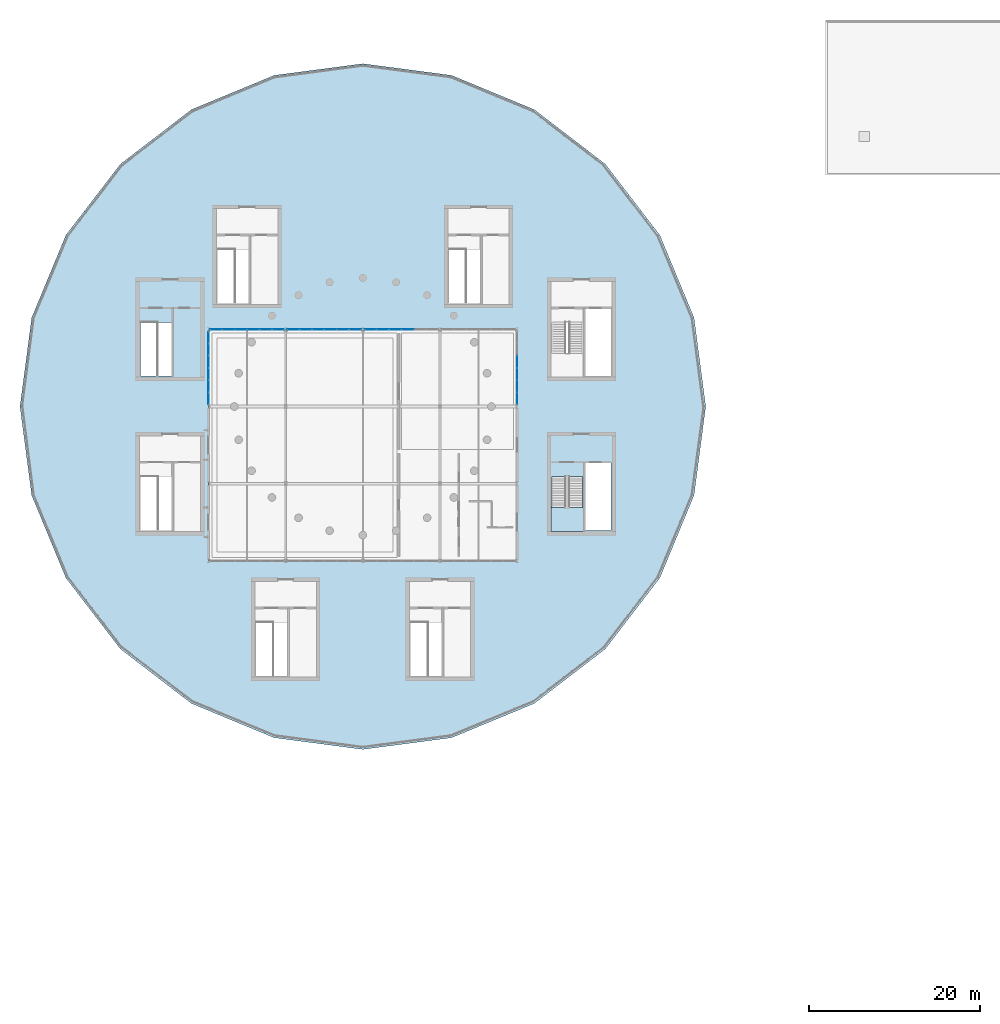
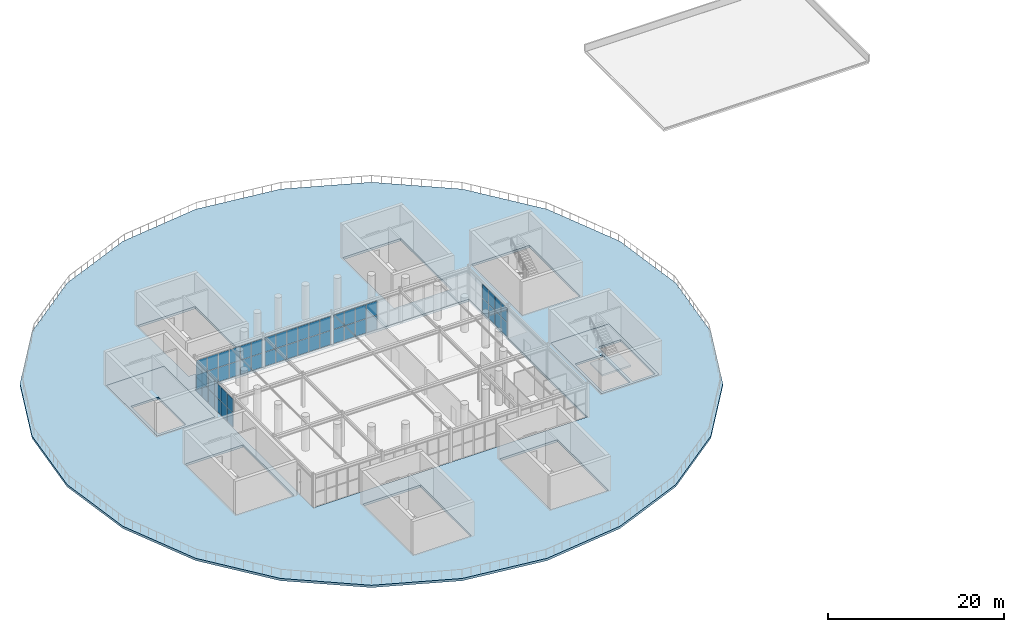
# One storey, part 18 of 29: 52 plates, 4 slabs, 6 elements without a shape of their own.
"""IFC4 building model written with IfcOpenShell, lengths in metres."""

from ifc_helpers import new_model, si_unit, direction, frame, origin, origin_2d, place, context, subcontext, project, spatial, polyline, rectangle, outline, extrude, material, layer, layer_set, type_object, element, aggregate, save


model = new_model("IFC4")

# Units and contexts
model_context = context("Model", 3, precision=1e-05, world=origin(), true_north=direction((0.0, 1.0)))
body_context = subcontext(model_context, "Body", "Model", "MODEL_VIEW")
ifc_project = project(units=[si_unit("LENGTHUNIT", "METRE"), si_unit("AREAUNIT", "SQUARE_METRE"), si_unit("VOLUMEUNIT", "CUBIC_METRE"), si_unit("PLANEANGLEUNIT", "RADIAN"), si_unit("MASSUNIT", "GRAM", prefix="KILO")], contexts=[model_context])

# Site, building, storey
site_placement = place(None, origin())
site = spatial("IfcSite", under=ifc_project, at=site_placement, CompositionType="ELEMENT")
building_placement = place(site_placement, origin())
building = spatial("IfcBuilding", under=site, at=building_placement, Name="Dornveld Trade and Exhibition Forum", CompositionType="ELEMENT")
storey_placement = place(building_placement, frame((0.0, 0.0, 21.60009765625)))
storey = spatial("IfcBuildingStorey", under=building, at=storey_placement, Name="L04", CompositionType="ELEMENT", Elevation=21.60009765625)

# Curtain wall, plates
ifc_material_1 = material(Name="Dark-bronze anodised aluminium and low-E glass", Category="aluminium")
ifc_layer_1 = layer(ifc_material_1, 0.156982421875)
ifc_layer_set_1 = layer_set([ifc_layer_1], Name="Dark-bronze anodised aluminium and low-E glass")
curtain_wall_type_1 = type_object("IfcCurtainWallType", Name="CW-SYS-05", PredefinedType="USERDEFINED", material=ifc_layer_set_1)
curtain_wall_1_placement = place(storey_placement, origin())
curtain_wall_1 = element("IfcCurtainWall", 1, at=curtain_wall_1_placement, inside=storey, type_object=curtain_wall_type_1, Name="L04 unitised curtain wall 131", ObjectType="UNITISED_CURTAIN_WALL", PredefinedType="USERDEFINED")
ifc_material_2 = material(Name="Double-glazed low-E solar control glass", Category="glass")
ifc_layer_2 = layer(ifc_material_2, 0.030029296875)
ifc_layer_set_2 = layer_set([ifc_layer_2], Name="Double-glazed low-E solar control glass")
plate_type_1 = type_object("IfcPlateType", Name="CW-PNL-03", PredefinedType="CURTAIN_PANEL", material=ifc_layer_set_2)
plate_1_placement = place(storey_placement, frame((135.0, 81.92822265625, 0.055908203125), z_axis=(0.0, 0.0, 1.0), x_axis=(0.0, 1.0, 0.0)))
plate_1 = element("IfcPlate", 2, at=plate_1_placement, type_object=plate_type_1, Name="CW-05 panel 1.1", PredefinedType="CURTAIN_PANEL", context=body_context, shape_type="SweptSolid", body=[
    extrude(rectangle(XDim=1.3447265625, YDim=0.030029296875, at=origin_2d()), origin(), (0.0, 0.0, 1.0), 1.94189453125),
])
plate_2_placement = place(storey_placement, frame((135.0, 81.92822265625, 2.057861328125), z_axis=(0.0, 0.0, 1.0), x_axis=(0.0, 1.0, 0.0)))
plate_2 = element("IfcPlate", 3, at=plate_2_placement, type_object=plate_type_1, Name="CW-05 panel 1.2", PredefinedType="CURTAIN_PANEL", context=body_context, shape_type="SweptSolid", body=[
    extrude(rectangle(XDim=1.3447265625, YDim=0.030029296875, at=origin_2d()), origin(), (0.0, 0.0, 1.0), 1.94189453125),
])
plate_3_placement = place(storey_placement, frame((135.0, 83.347900390625, 0.055908203125), z_axis=(0.0, 0.0, 1.0), x_axis=(0.0, 1.0, 0.0)))
plate_3 = element("IfcPlate", 4, at=plate_3_placement, type_object=plate_type_1, Name="CW-05 panel 2.1", PredefinedType="CURTAIN_PANEL", context=body_context, shape_type="SweptSolid", body=[
    extrude(rectangle(XDim=1.374755859375, YDim=0.030029296875, at=origin_2d()), origin(), (0.0, 0.0, 1.0), 1.94189453125),
])
plate_4_placement = place(storey_placement, frame((135.0, 83.347900390625, 2.057861328125), z_axis=(0.0, 0.0, 1.0), x_axis=(0.0, 1.0, 0.0)))
plate_4 = element("IfcPlate", 5, at=plate_4_placement, type_object=plate_type_1, Name="CW-05 panel 2.2", PredefinedType="CURTAIN_PANEL", context=body_context, shape_type="SweptSolid", body=[
    extrude(rectangle(XDim=1.374755859375, YDim=0.030029296875, at=origin_2d()), origin(), (0.0, 0.0, 1.0), 1.94189453125),
])
plate_5_placement = place(storey_placement, frame((135.0, 84.78271484375, 0.055908203125), z_axis=(0.0, 0.0, 1.0), x_axis=(0.0, 1.0, 0.0)))
plate_5 = element("IfcPlate", 6, at=plate_5_placement, type_object=plate_type_1, Name="CW-05 panel 3.1", PredefinedType="CURTAIN_PANEL", context=body_context, shape_type="SweptSolid", body=[
    extrude(rectangle(XDim=1.374755859375, YDim=0.030029296875, at=origin_2d()), origin(), (0.0, 0.0, 1.0), 1.94189453125),
])
plate_6_placement = place(storey_placement, frame((135.0, 84.78271484375, 2.057861328125), z_axis=(0.0, 0.0, 1.0), x_axis=(0.0, 1.0, 0.0)))
plate_6 = element("IfcPlate", 7, at=plate_6_placement, type_object=plate_type_1, Name="CW-05 panel 3.2", PredefinedType="CURTAIN_PANEL", context=body_context, shape_type="SweptSolid", body=[
    extrude(rectangle(XDim=1.374755859375, YDim=0.030029296875, at=origin_2d()), origin(), (0.0, 0.0, 1.0), 1.94189453125),
])
plate_7_placement = place(storey_placement, frame((135.0, 86.21728515625, 0.055908203125), z_axis=(0.0, 0.0, 1.0), x_axis=(0.0, 1.0, 0.0)))
plate_7 = element("IfcPlate", 8, at=plate_7_placement, type_object=plate_type_1, Name="CW-05 panel 4.1", PredefinedType="CURTAIN_PANEL", context=body_context, shape_type="SweptSolid", body=[
    extrude(rectangle(XDim=1.374755859375, YDim=0.030029296875, at=origin_2d()), origin(), (0.0, 0.0, 1.0), 1.94189453125),
])
plate_8_placement = place(storey_placement, frame((135.0, 86.21728515625, 2.057861328125), z_axis=(0.0, 0.0, 1.0), x_axis=(0.0, 1.0, 0.0)))
plate_8 = element("IfcPlate", 9, at=plate_8_placement, type_object=plate_type_1, Name="CW-05 panel 4.2", PredefinedType="CURTAIN_PANEL", context=body_context, shape_type="SweptSolid", body=[
    extrude(rectangle(XDim=1.374755859375, YDim=0.030029296875, at=origin_2d()), origin(), (0.0, 0.0, 1.0), 1.94189453125),
])
aggregate(curtain_wall_1, [plate_1, plate_2, plate_3, plate_4, plate_5, plate_6, plate_7, plate_8])

ifc_material_3 = material(Name="Dark-bronze anodised aluminium and low-E glass", Category="aluminium")
ifc_layer_3 = layer(ifc_material_3, 0.18994140625)
ifc_layer_set_3 = layer_set([ifc_layer_3], Name="Dark-bronze anodised aluminium and low-E glass")
curtain_wall_type_2 = type_object("IfcCurtainWallType", Name="CW-SYS-16", PredefinedType="USERDEFINED", material=ifc_layer_set_3)
curtain_wall_2_placement = place(storey_placement, origin())
curtain_wall_2 = element("IfcCurtainWall", 10, at=curtain_wall_2_placement, inside=storey, type_object=curtain_wall_type_2, Name="L04 unitised curtain wall 124", ObjectType="UNITISED_CURTAIN_WALL", PredefinedType="USERDEFINED")
ifc_material_4 = material(Name="Double-glazed low-E solar control glass", Category="glass")
ifc_layer_4 = layer(ifc_material_4, 0.031982421875)
ifc_layer_set_4 = layer_set([ifc_layer_4], Name="Double-glazed low-E solar control glass")
plate_type_2 = type_object("IfcPlateType", Name="CW-PNL-04", PredefinedType="CURTAIN_PANEL", material=ifc_layer_set_4)
plate_9_placement = place(storey_placement, frame((107.11328125, 90.0, 0.055908203125), z_axis=(0.0, 0.0, 1.0), x_axis=(-1.0, 0.0, 0.0)))
plate_9 = element("IfcPlate", 11, at=plate_9_placement, type_object=plate_type_2, Name="CW-16 panel 1.1", PredefinedType="CURTAIN_PANEL", context=body_context, shape_type="SweptSolid", body=[
    extrude(rectangle(XDim=1.361328125, YDim=0.031982421875, at=origin_2d()), origin(), (0.0, 0.0, 1.0), 1.94189453125),
])
plate_10_placement = place(storey_placement, frame((107.11328125, 90.0, 2.057861328125), z_axis=(0.0, 0.0, 1.0), x_axis=(-1.0, 0.0, 0.0)))
plate_10 = element("IfcPlate", 12, at=plate_10_placement, type_object=plate_type_2, Name="CW-16 panel 1.2", PredefinedType="CURTAIN_PANEL", context=body_context, shape_type="SweptSolid", body=[
    extrude(rectangle(XDim=1.361328125, YDim=0.031982421875, at=origin_2d()), origin(), (0.0, 0.0, 1.0), 1.94189453125),
])
plate_11_placement = place(storey_placement, frame((105.677001953125, 90.0, 0.055908203125), z_axis=(0.0, 0.0, 1.0), x_axis=(-1.0, 0.0, 0.0)))
plate_11 = element("IfcPlate", 13, at=plate_11_placement, type_object=plate_type_2, Name="CW-16 panel 2.1", PredefinedType="CURTAIN_PANEL", context=body_context, shape_type="SweptSolid", body=[
    extrude(rectangle(XDim=1.391357421875, YDim=0.031982421875, at=origin_2d()), origin(), (0.0, 0.0, 1.0), 1.94189453125),
])
plate_12_placement = place(storey_placement, frame((105.677001953125, 90.0, 2.057861328125), z_axis=(0.0, 0.0, 1.0), x_axis=(-1.0, 0.0, 0.0)))
plate_12 = element("IfcPlate", 14, at=plate_12_placement, type_object=plate_type_2, Name="CW-16 panel 2.2", PredefinedType="CURTAIN_PANEL", context=body_context, shape_type="SweptSolid", body=[
    extrude(rectangle(XDim=1.391357421875, YDim=0.031982421875, at=origin_2d()), origin(), (0.0, 0.0, 1.0), 1.94189453125),
])
plate_13_placement = place(storey_placement, frame((104.2255859375, 90.0, 0.055908203125), z_axis=(0.0, 0.0, 1.0), x_axis=(-1.0, 0.0, 0.0)))
plate_13 = element("IfcPlate", 15, at=plate_13_placement, type_object=plate_type_2, Name="CW-16 panel 3.1", PredefinedType="CURTAIN_PANEL", context=body_context, shape_type="SweptSolid", body=[
    extrude(rectangle(XDim=1.391357421875, YDim=0.031982421875, at=origin_2d()), origin(), (0.0, 0.0, 1.0), 1.94189453125),
])
plate_14_placement = place(storey_placement, frame((104.2255859375, 90.0, 2.057861328125), z_axis=(0.0, 0.0, 1.0), x_axis=(-1.0, 0.0, 0.0)))
plate_14 = element("IfcPlate", 16, at=plate_14_placement, type_object=plate_type_2, Name="CW-16 panel 3.2", PredefinedType="CURTAIN_PANEL", context=body_context, shape_type="SweptSolid", body=[
    extrude(rectangle(XDim=1.391357421875, YDim=0.031982421875, at=origin_2d()), origin(), (0.0, 0.0, 1.0), 1.94189453125),
])
plate_15_placement = place(storey_placement, frame((102.7744140625, 90.0, 0.055908203125), z_axis=(0.0, 0.0, 1.0), x_axis=(-1.0, 0.0, 0.0)))
plate_15 = element("IfcPlate", 17, at=plate_15_placement, type_object=plate_type_2, Name="CW-16 panel 4.1", PredefinedType="CURTAIN_PANEL", context=body_context, shape_type="SweptSolid", body=[
    extrude(rectangle(XDim=1.391357421875, YDim=0.031982421875, at=origin_2d()), origin(), (0.0, 0.0, 1.0), 1.94189453125),
])
plate_16_placement = place(storey_placement, frame((102.7744140625, 90.0, 2.057861328125), z_axis=(0.0, 0.0, 1.0), x_axis=(-1.0, 0.0, 0.0)))
plate_16 = element("IfcPlate", 18, at=plate_16_placement, type_object=plate_type_2, Name="CW-16 panel 4.2", PredefinedType="CURTAIN_PANEL", context=body_context, shape_type="SweptSolid", body=[
    extrude(rectangle(XDim=1.391357421875, YDim=0.031982421875, at=origin_2d()), origin(), (0.0, 0.0, 1.0), 1.94189453125),
])
plate_17_placement = place(storey_placement, frame((101.322998046875, 90.0, 0.055908203125), z_axis=(0.0, 0.0, 1.0), x_axis=(-1.0, 0.0, 0.0)))
plate_17 = element("IfcPlate", 19, at=plate_17_placement, type_object=plate_type_2, Name="CW-16 panel 5.1", PredefinedType="CURTAIN_PANEL", context=body_context, shape_type="SweptSolid", body=[
    extrude(rectangle(XDim=1.391357421875, YDim=0.031982421875, at=origin_2d()), origin(), (0.0, 0.0, 1.0), 1.94189453125),
])
plate_18_placement = place(storey_placement, frame((101.322998046875, 90.0, 2.057861328125), z_axis=(0.0, 0.0, 1.0), x_axis=(-1.0, 0.0, 0.0)))
plate_18 = element("IfcPlate", 20, at=plate_18_placement, type_object=plate_type_2, Name="CW-16 panel 5.2", PredefinedType="CURTAIN_PANEL", context=body_context, shape_type="SweptSolid", body=[
    extrude(rectangle(XDim=1.391357421875, YDim=0.031982421875, at=origin_2d()), origin(), (0.0, 0.0, 1.0), 1.94189453125),
])
plate_19_placement = place(storey_placement, frame((99.88671875, 90.0, 0.055908203125), z_axis=(0.0, 0.0, 1.0), x_axis=(-1.0, 0.0, 0.0)))
plate_19 = element("IfcPlate", 21, at=plate_19_placement, type_object=plate_type_2, Name="CW-16 panel 6.1", PredefinedType="CURTAIN_PANEL", context=body_context, shape_type="SweptSolid", body=[
    extrude(rectangle(XDim=1.361328125, YDim=0.031982421875, at=origin_2d()), origin(), (0.0, 0.0, 1.0), 1.94189453125),
])
plate_20_placement = place(storey_placement, frame((99.88671875, 90.0, 2.057861328125), z_axis=(0.0, 0.0, 1.0), x_axis=(-1.0, 0.0, 0.0)))
plate_20 = element("IfcPlate", 22, at=plate_20_placement, type_object=plate_type_2, Name="CW-16 panel 6.2", PredefinedType="CURTAIN_PANEL", context=body_context, shape_type="SweptSolid", body=[
    extrude(rectangle(XDim=1.361328125, YDim=0.031982421875, at=origin_2d()), origin(), (0.0, 0.0, 1.0), 1.94189453125),
])
aggregate(curtain_wall_2, [plate_9, plate_10, plate_11, plate_12, plate_13, plate_14, plate_15, plate_16, plate_17, plate_18, plate_19, plate_20])

ifc_material_5 = material(Name="Dark-bronze anodised aluminium and low-E glass", Category="aluminium")
ifc_layer_5 = layer(ifc_material_5, 0.159912109375)
ifc_layer_set_5 = layer_set([ifc_layer_5], Name="Dark-bronze anodised aluminium and low-E glass")
curtain_wall_type_3 = type_object("IfcCurtainWallType", Name="CW-SYS-06", PredefinedType="USERDEFINED", material=ifc_layer_set_5)
curtain_wall_3_placement = place(storey_placement, origin())
curtain_wall_3 = element("IfcCurtainWall", 23, at=curtain_wall_3_placement, inside=storey, type_object=curtain_wall_type_3, Name="L04 unitised curtain wall 132", ObjectType="UNITISED_CURTAIN_WALL", PredefinedType="USERDEFINED")
plate_21_placement = place(storey_placement, frame((99.0, 89.07177734375, 0.055908203125), z_axis=(0.0, 0.0, 1.0), x_axis=(0.0, -1.0, 0.0)))
plate_21 = element("IfcPlate", 24, at=plate_21_placement, type_object=plate_type_2, Name="CW-06 panel 1.1", PredefinedType="CURTAIN_PANEL", context=body_context, shape_type="SweptSolid", body=[
    extrude(rectangle(XDim=1.3447265625, YDim=0.031982421875, at=origin_2d()), origin(), (0.0, 0.0, 1.0), 1.94189453125),
])
plate_22_placement = place(storey_placement, frame((99.0, 89.07177734375, 2.057861328125), z_axis=(0.0, 0.0, 1.0), x_axis=(0.0, -1.0, 0.0)))
plate_22 = element("IfcPlate", 25, at=plate_22_placement, type_object=plate_type_2, Name="CW-06 panel 1.2", PredefinedType="CURTAIN_PANEL", context=body_context, shape_type="SweptSolid", body=[
    extrude(rectangle(XDim=1.3447265625, YDim=0.031982421875, at=origin_2d()), origin(), (0.0, 0.0, 1.0), 1.94189453125),
])
plate_23_placement = place(storey_placement, frame((99.0, 87.652099609375, 0.055908203125), z_axis=(0.0, 0.0, 1.0), x_axis=(0.0, -1.0, 0.0)))
plate_23 = element("IfcPlate", 26, at=plate_23_placement, type_object=plate_type_2, Name="CW-06 panel 2.1", PredefinedType="CURTAIN_PANEL", context=body_context, shape_type="SweptSolid", body=[
    extrude(rectangle(XDim=1.374755859375, YDim=0.031982421875, at=origin_2d()), origin(), (0.0, 0.0, 1.0), 1.94189453125),
])
plate_24_placement = place(storey_placement, frame((99.0, 87.652099609375, 2.057861328125), z_axis=(0.0, 0.0, 1.0), x_axis=(0.0, -1.0, 0.0)))
plate_24 = element("IfcPlate", 27, at=plate_24_placement, type_object=plate_type_2, Name="CW-06 panel 2.2", PredefinedType="CURTAIN_PANEL", context=body_context, shape_type="SweptSolid", body=[
    extrude(rectangle(XDim=1.374755859375, YDim=0.031982421875, at=origin_2d()), origin(), (0.0, 0.0, 1.0), 1.94189453125),
])
plate_25_placement = place(storey_placement, frame((99.0, 86.21728515625, 0.055908203125), z_axis=(0.0, 0.0, 1.0), x_axis=(0.0, -1.0, 0.0)))
plate_25 = element("IfcPlate", 28, at=plate_25_placement, type_object=plate_type_2, Name="CW-06 panel 3.1", PredefinedType="CURTAIN_PANEL", context=body_context, shape_type="SweptSolid", body=[
    extrude(rectangle(XDim=1.374755859375, YDim=0.031982421875, at=origin_2d()), origin(), (0.0, 0.0, 1.0), 1.94189453125),
])
plate_26_placement = place(storey_placement, frame((99.0, 86.21728515625, 2.057861328125), z_axis=(0.0, 0.0, 1.0), x_axis=(0.0, -1.0, 0.0)))
plate_26 = element("IfcPlate", 29, at=plate_26_placement, type_object=plate_type_2, Name="CW-06 panel 3.2", PredefinedType="CURTAIN_PANEL", context=body_context, shape_type="SweptSolid", body=[
    extrude(rectangle(XDim=1.374755859375, YDim=0.031982421875, at=origin_2d()), origin(), (0.0, 0.0, 1.0), 1.94189453125),
])
plate_27_placement = place(storey_placement, frame((99.0, 84.78271484375, 0.055908203125), z_axis=(0.0, 0.0, 1.0), x_axis=(0.0, -1.0, 0.0)))
plate_27 = element("IfcPlate", 30, at=plate_27_placement, type_object=plate_type_2, Name="CW-06 panel 4.1", PredefinedType="CURTAIN_PANEL", context=body_context, shape_type="SweptSolid", body=[
    extrude(rectangle(XDim=1.374755859375, YDim=0.031982421875, at=origin_2d()), origin(), (0.0, 0.0, 1.0), 1.94189453125),
])
plate_28_placement = place(storey_placement, frame((99.0, 84.78271484375, 2.057861328125), z_axis=(0.0, 0.0, 1.0), x_axis=(0.0, -1.0, 0.0)))
plate_28 = element("IfcPlate", 31, at=plate_28_placement, type_object=plate_type_2, Name="CW-06 panel 4.2", PredefinedType="CURTAIN_PANEL", context=body_context, shape_type="SweptSolid", body=[
    extrude(rectangle(XDim=1.374755859375, YDim=0.031982421875, at=origin_2d()), origin(), (0.0, 0.0, 1.0), 1.94189453125),
])
plate_29_placement = place(storey_placement, frame((99.0, 83.347900390625, 0.055908203125), z_axis=(0.0, 0.0, 1.0), x_axis=(0.0, -1.0, 0.0)))
plate_29 = element("IfcPlate", 32, at=plate_29_placement, type_object=plate_type_2, Name="CW-06 panel 5.1", PredefinedType="CURTAIN_PANEL", context=body_context, shape_type="SweptSolid", body=[
    extrude(rectangle(XDim=1.374755859375, YDim=0.031982421875, at=origin_2d()), origin(), (0.0, 0.0, 1.0), 1.94189453125),
])
plate_30_placement = place(storey_placement, frame((99.0, 83.347900390625, 2.057861328125), z_axis=(0.0, 0.0, 1.0), x_axis=(0.0, -1.0, 0.0)))
plate_30 = element("IfcPlate", 33, at=plate_30_placement, type_object=plate_type_2, Name="CW-06 panel 5.2", PredefinedType="CURTAIN_PANEL", context=body_context, shape_type="SweptSolid", body=[
    extrude(rectangle(XDim=1.374755859375, YDim=0.031982421875, at=origin_2d()), origin(), (0.0, 0.0, 1.0), 1.94189453125),
])
plate_31_placement = place(storey_placement, frame((99.0, 81.92822265625, 0.055908203125), z_axis=(0.0, 0.0, 1.0), x_axis=(0.0, -1.0, 0.0)))
plate_31 = element("IfcPlate", 34, at=plate_31_placement, type_object=plate_type_2, Name="CW-06 panel 6.1", PredefinedType="CURTAIN_PANEL", context=body_context, shape_type="SweptSolid", body=[
    extrude(rectangle(XDim=1.3447265625, YDim=0.031982421875, at=origin_2d()), origin(), (0.0, 0.0, 1.0), 1.94189453125),
])
plate_32_placement = place(storey_placement, frame((99.0, 81.92822265625, 2.057861328125), z_axis=(0.0, 0.0, 1.0), x_axis=(0.0, -1.0, 0.0)))
plate_32 = element("IfcPlate", 35, at=plate_32_placement, type_object=plate_type_2, Name="CW-06 panel 6.2", PredefinedType="CURTAIN_PANEL", context=body_context, shape_type="SweptSolid", body=[
    extrude(rectangle(XDim=1.3447265625, YDim=0.031982421875, at=origin_2d()), origin(), (0.0, 0.0, 1.0), 1.94189453125),
])
aggregate(curtain_wall_3, [plate_21, plate_22, plate_23, plate_24, plate_25, plate_26, plate_27, plate_28, plate_29, plate_30, plate_31, plate_32])

ifc_material_6 = material(Name="Dark-bronze anodised aluminium and low-E glass", Category="aluminium")
ifc_layer_6 = layer(ifc_material_6, 0.196044921875)
ifc_layer_set_6 = layer_set([ifc_layer_6], Name="Dark-bronze anodised aluminium and low-E glass")
curtain_wall_type_4 = type_object("IfcCurtainWallType", Name="CW-SYS-18", PredefinedType="USERDEFINED", material=ifc_layer_set_6)
curtain_wall_4_placement = place(storey_placement, origin())
curtain_wall_4 = element("IfcCurtainWall", 36, at=curtain_wall_4_placement, inside=storey, type_object=curtain_wall_type_4, Name="L04 unitised curtain wall 126", ObjectType="UNITISED_CURTAIN_WALL", PredefinedType="USERDEFINED")
ifc_material_7 = material(Name="Double-glazed low-E solar control glass", Category="glass")
ifc_layer_7 = layer(ifc_material_7, 0.035888671875)
ifc_layer_set_7 = layer_set([ifc_layer_7], Name="Double-glazed low-E solar control glass")
plate_type_3 = type_object("IfcPlateType", Name="CW-PNL-06", PredefinedType="CURTAIN_PANEL", material=ifc_layer_set_7)
plate_33_placement = place(storey_placement, frame((116.11328125, 90.0, 0.055908203125), z_axis=(0.0, 0.0, 1.0), x_axis=(-1.0, 0.0, 0.0)))
plate_33 = element("IfcPlate", 37, at=plate_33_placement, type_object=plate_type_3, Name="CW-18 panel 1.1", PredefinedType="CURTAIN_PANEL", context=body_context, shape_type="SweptSolid", body=[
    extrude(rectangle(XDim=1.361328125, YDim=0.035888671875, at=origin_2d()), origin(), (0.0, 0.0, 1.0), 1.94189453125),
])
plate_34_placement = place(storey_placement, frame((116.11328125, 90.0, 2.057861328125), z_axis=(0.0, 0.0, 1.0), x_axis=(-1.0, 0.0, 0.0)))
plate_34 = element("IfcPlate", 38, at=plate_34_placement, type_object=plate_type_3, Name="CW-18 panel 1.2", PredefinedType="CURTAIN_PANEL", context=body_context, shape_type="SweptSolid", body=[
    extrude(rectangle(XDim=1.361328125, YDim=0.035888671875, at=origin_2d()), origin(), (0.0, 0.0, 1.0), 1.94189453125),
])
plate_35_placement = place(storey_placement, frame((114.677001953125, 90.0, 0.055908203125), z_axis=(0.0, 0.0, 1.0), x_axis=(-1.0, 0.0, 0.0)))
plate_35 = element("IfcPlate", 39, at=plate_35_placement, type_object=plate_type_3, Name="CW-18 panel 2.1", PredefinedType="CURTAIN_PANEL", context=body_context, shape_type="SweptSolid", body=[
    extrude(rectangle(XDim=1.391357421875, YDim=0.035888671875, at=origin_2d()), origin(), (0.0, 0.0, 1.0), 1.94189453125),
])
plate_36_placement = place(storey_placement, frame((114.677001953125, 90.0, 2.057861328125), z_axis=(0.0, 0.0, 1.0), x_axis=(-1.0, 0.0, 0.0)))
plate_36 = element("IfcPlate", 40, at=plate_36_placement, type_object=plate_type_3, Name="CW-18 panel 2.2", PredefinedType="CURTAIN_PANEL", context=body_context, shape_type="SweptSolid", body=[
    extrude(rectangle(XDim=1.391357421875, YDim=0.035888671875, at=origin_2d()), origin(), (0.0, 0.0, 1.0), 1.94189453125),
])
plate_37_placement = place(storey_placement, frame((113.2255859375, 90.0, 0.055908203125), z_axis=(0.0, 0.0, 1.0), x_axis=(-1.0, 0.0, 0.0)))
plate_37 = element("IfcPlate", 41, at=plate_37_placement, type_object=plate_type_3, Name="CW-18 panel 3.1", PredefinedType="CURTAIN_PANEL", context=body_context, shape_type="SweptSolid", body=[
    extrude(rectangle(XDim=1.391357421875, YDim=0.035888671875, at=origin_2d()), origin(), (0.0, 0.0, 1.0), 1.94189453125),
])
plate_38_placement = place(storey_placement, frame((113.2255859375, 90.0, 2.057861328125), z_axis=(0.0, 0.0, 1.0), x_axis=(-1.0, 0.0, 0.0)))
plate_38 = element("IfcPlate", 42, at=plate_38_placement, type_object=plate_type_3, Name="CW-18 panel 3.2", PredefinedType="CURTAIN_PANEL", context=body_context, shape_type="SweptSolid", body=[
    extrude(rectangle(XDim=1.391357421875, YDim=0.035888671875, at=origin_2d()), origin(), (0.0, 0.0, 1.0), 1.94189453125),
])
plate_39_placement = place(storey_placement, frame((111.7744140625, 90.0, 0.055908203125), z_axis=(0.0, 0.0, 1.0), x_axis=(-1.0, 0.0, 0.0)))
plate_39 = element("IfcPlate", 43, at=plate_39_placement, type_object=plate_type_3, Name="CW-18 panel 4.1", PredefinedType="CURTAIN_PANEL", context=body_context, shape_type="SweptSolid", body=[
    extrude(rectangle(XDim=1.391357421875, YDim=0.035888671875, at=origin_2d()), origin(), (0.0, 0.0, 1.0), 1.94189453125),
])
plate_40_placement = place(storey_placement, frame((111.7744140625, 90.0, 2.057861328125), z_axis=(0.0, 0.0, 1.0), x_axis=(-1.0, 0.0, 0.0)))
plate_40 = element("IfcPlate", 44, at=plate_40_placement, type_object=plate_type_3, Name="CW-18 panel 4.2", PredefinedType="CURTAIN_PANEL", context=body_context, shape_type="SweptSolid", body=[
    extrude(rectangle(XDim=1.391357421875, YDim=0.035888671875, at=origin_2d()), origin(), (0.0, 0.0, 1.0), 1.94189453125),
])
plate_41_placement = place(storey_placement, frame((110.322998046875, 90.0, 0.055908203125), z_axis=(0.0, 0.0, 1.0), x_axis=(-1.0, 0.0, 0.0)))
plate_41 = element("IfcPlate", 45, at=plate_41_placement, type_object=plate_type_3, Name="CW-18 panel 5.1", PredefinedType="CURTAIN_PANEL", context=body_context, shape_type="SweptSolid", body=[
    extrude(rectangle(XDim=1.391357421875, YDim=0.035888671875, at=origin_2d()), origin(), (0.0, 0.0, 1.0), 1.94189453125),
])
plate_42_placement = place(storey_placement, frame((110.322998046875, 90.0, 2.057861328125), z_axis=(0.0, 0.0, 1.0), x_axis=(-1.0, 0.0, 0.0)))
plate_42 = element("IfcPlate", 46, at=plate_42_placement, type_object=plate_type_3, Name="CW-18 panel 5.2", PredefinedType="CURTAIN_PANEL", context=body_context, shape_type="SweptSolid", body=[
    extrude(rectangle(XDim=1.391357421875, YDim=0.035888671875, at=origin_2d()), origin(), (0.0, 0.0, 1.0), 1.94189453125),
])
plate_43_placement = place(storey_placement, frame((108.88671875, 90.0, 0.055908203125), z_axis=(0.0, 0.0, 1.0), x_axis=(-1.0, 0.0, 0.0)))
plate_43 = element("IfcPlate", 47, at=plate_43_placement, type_object=plate_type_3, Name="CW-18 panel 6.1", PredefinedType="CURTAIN_PANEL", context=body_context, shape_type="SweptSolid", body=[
    extrude(rectangle(XDim=1.361328125, YDim=0.035888671875, at=origin_2d()), origin(), (0.0, 0.0, 1.0), 1.94189453125),
])
plate_44_placement = place(storey_placement, frame((108.88671875, 90.0, 2.057861328125), z_axis=(0.0, 0.0, 1.0), x_axis=(-1.0, 0.0, 0.0)))
plate_44 = element("IfcPlate", 48, at=plate_44_placement, type_object=plate_type_3, Name="CW-18 panel 6.2", PredefinedType="CURTAIN_PANEL", context=body_context, shape_type="SweptSolid", body=[
    extrude(rectangle(XDim=1.361328125, YDim=0.035888671875, at=origin_2d()), origin(), (0.0, 0.0, 1.0), 1.94189453125),
])
aggregate(curtain_wall_4, [plate_33, plate_34, plate_35, plate_36, plate_37, plate_38, plate_39, plate_40, plate_41, plate_42, plate_43, plate_44])

ifc_material_8 = material(Name="Dark-bronze anodised aluminium and low-E glass", Category="aluminium")
ifc_layer_8 = layer(ifc_material_8, 0.14794921875)
ifc_layer_set_8 = layer_set([ifc_layer_8], Name="Dark-bronze anodised aluminium and low-E glass")
curtain_wall_type_5 = type_object("IfcCurtainWallType", Name="CW-SYS-02", PredefinedType="USERDEFINED", material=ifc_layer_set_8)
curtain_wall_5_placement = place(storey_placement, origin())
curtain_wall_5 = element("IfcCurtainWall", 49, at=curtain_wall_5_placement, inside=storey, type_object=curtain_wall_type_5, Name="L04 unitised curtain wall 128", ObjectType="UNITISED_CURTAIN_WALL", PredefinedType="USERDEFINED")
ifc_material_9 = material(Name="Double-glazed low-E solar control glass", Category="glass")
ifc_layer_9 = layer(ifc_material_9, 0.0400390625)
ifc_layer_set_9 = layer_set([ifc_layer_9], Name="Double-glazed low-E solar control glass")
plate_type_4 = type_object("IfcPlateType", Name="CW-PNL-08", PredefinedType="CURTAIN_PANEL", material=ifc_layer_set_9)
plate_45_placement = place(storey_placement, frame((122.2255859375, 90.0, 0.055908203125), z_axis=(0.0, 0.0, 1.0), x_axis=(-1.0, 0.0, 0.0)))
plate_45 = element("IfcPlate", 50, at=plate_45_placement, type_object=plate_type_4, Name="CW-02 panel 3.1", PredefinedType="CURTAIN_PANEL", context=body_context, shape_type="SweptSolid", body=[
    extrude(rectangle(XDim=1.391357421875, YDim=0.0400390625, at=origin_2d()), origin(), (0.0, 0.0, 1.0), 1.94189453125),
])
plate_46_placement = place(storey_placement, frame((122.2255859375, 90.0, 2.057861328125), z_axis=(0.0, 0.0, 1.0), x_axis=(-1.0, 0.0, 0.0)))
plate_46 = element("IfcPlate", 51, at=plate_46_placement, type_object=plate_type_4, Name="CW-02 panel 3.2", PredefinedType="CURTAIN_PANEL", context=body_context, shape_type="SweptSolid", body=[
    extrude(rectangle(XDim=1.391357421875, YDim=0.0400390625, at=origin_2d()), origin(), (0.0, 0.0, 1.0), 1.94189453125),
])
plate_47_placement = place(storey_placement, frame((120.7744140625, 90.0, 0.055908203125), z_axis=(0.0, 0.0, 1.0), x_axis=(-1.0, 0.0, 0.0)))
plate_47 = element("IfcPlate", 52, at=plate_47_placement, type_object=plate_type_4, Name="CW-02 panel 4.1", PredefinedType="CURTAIN_PANEL", context=body_context, shape_type="SweptSolid", body=[
    extrude(rectangle(XDim=1.391357421875, YDim=0.0400390625, at=origin_2d()), origin(), (0.0, 0.0, 1.0), 1.94189453125),
])
plate_48_placement = place(storey_placement, frame((120.7744140625, 90.0, 2.057861328125), z_axis=(0.0, 0.0, 1.0), x_axis=(-1.0, 0.0, 0.0)))
plate_48 = element("IfcPlate", 53, at=plate_48_placement, type_object=plate_type_4, Name="CW-02 panel 4.2", PredefinedType="CURTAIN_PANEL", context=body_context, shape_type="SweptSolid", body=[
    extrude(rectangle(XDim=1.391357421875, YDim=0.0400390625, at=origin_2d()), origin(), (0.0, 0.0, 1.0), 1.94189453125),
])
plate_49_placement = place(storey_placement, frame((119.322998046875, 90.0, 0.055908203125), z_axis=(0.0, 0.0, 1.0), x_axis=(-1.0, 0.0, 0.0)))
plate_49 = element("IfcPlate", 54, at=plate_49_placement, type_object=plate_type_4, Name="CW-02 panel 5.1", PredefinedType="CURTAIN_PANEL", context=body_context, shape_type="SweptSolid", body=[
    extrude(rectangle(XDim=1.391357421875, YDim=0.0400390625, at=origin_2d()), origin(), (0.0, 0.0, 1.0), 1.94189453125),
])
plate_50_placement = place(storey_placement, frame((119.322998046875, 90.0, 2.057861328125), z_axis=(0.0, 0.0, 1.0), x_axis=(-1.0, 0.0, 0.0)))
plate_50 = element("IfcPlate", 55, at=plate_50_placement, type_object=plate_type_4, Name="CW-02 panel 5.2", PredefinedType="CURTAIN_PANEL", context=body_context, shape_type="SweptSolid", body=[
    extrude(rectangle(XDim=1.391357421875, YDim=0.0400390625, at=origin_2d()), origin(), (0.0, 0.0, 1.0), 1.94189453125),
])
plate_51_placement = place(storey_placement, frame((117.88671875, 90.0, 0.055908203125), z_axis=(0.0, 0.0, 1.0), x_axis=(-1.0, 0.0, 0.0)))
plate_51 = element("IfcPlate", 56, at=plate_51_placement, type_object=plate_type_4, Name="CW-02 panel 6.1", PredefinedType="CURTAIN_PANEL", context=body_context, shape_type="SweptSolid", body=[
    extrude(rectangle(XDim=1.361328125, YDim=0.0400390625, at=origin_2d()), origin(), (0.0, 0.0, 1.0), 1.94189453125),
])
plate_52_placement = place(storey_placement, frame((117.88671875, 90.0, 2.057861328125), z_axis=(0.0, 0.0, 1.0), x_axis=(-1.0, 0.0, 0.0)))
plate_52 = element("IfcPlate", 57, at=plate_52_placement, type_object=plate_type_4, Name="CW-02 panel 6.2", PredefinedType="CURTAIN_PANEL", context=body_context, shape_type="SweptSolid", body=[
    extrude(rectangle(XDim=1.361328125, YDim=0.0400390625, at=origin_2d()), origin(), (0.0, 0.0, 1.0), 1.94189453125),
])
aggregate(curtain_wall_5, [plate_45, plate_46, plate_47, plate_48, plate_49, plate_50, plate_51, plate_52])

# Slabs
ifc_material_10 = material(Name="Concrete C40/50", Category="concrete")
ifc_layer_10 = layer(ifc_material_10, 0.2900390625)
ifc_layer_set_10 = layer_set([ifc_layer_10], Name="Concrete C40/50")
slab_type_1 = type_object("IfcSlabType", Name="SL-DISC-290", PredefinedType="FLOOR", material=ifc_layer_set_10)
slab_1_placement = place(storey_placement, frame((0.0, 0.0, -0.2900390625)))
element("IfcSlab", 58, at=slab_1_placement, inside=storey, type_object=slab_type_1, Name="L04 CORE-04 indoor core lobby slab", PredefinedType="FLOOR", context=body_context, shape_type="SweptSolid", body=[
    extrude(outline(polyline([(90.699951171875, 84.199951171875), (98.300048828125, 84.199951171875), (98.300048828125, 95.800048828125), (90.699951171875, 95.800048828125), (90.699951171875, 84.199951171875)]), holes=[polyline([(91.050048828125, 84.550048828125), (94.64990234375, 84.550048828125), (94.64990234375, 90.830078125), (91.050048828125, 90.830078125), (91.050048828125, 84.550048828125)])]), origin(), (0.0, 0.0, 1.0), 0.2900390625),
])
slab_2_placement = place(storey_placement, frame((0.0, 0.0, -0.2900390625)))
element("IfcSlab", 59, at=slab_2_placement, inside=storey, type_object=slab_type_1, Name="L04 CORE-08 indoor core lobby slab", PredefinedType="FLOOR", context=body_context, shape_type="SweptSolid", body=[
    extrude(outline(polyline([(138.699951171875, 66.199951171875), (146.300048828125, 66.199951171875), (146.300048828125, 77.800048828125), (138.699951171875, 77.800048828125), (138.699951171875, 66.199951171875)]), holes=[polyline([(143.0, 66.550048828125), (145.949951171875, 66.550048828125), (145.949951171875, 74.39990234375), (143.0, 74.39990234375), (143.0, 66.550048828125)]), polyline([(139.050048828125, 66.550048828125), (142.64990234375, 66.550048828125), (142.64990234375, 72.830078125), (139.050048828125, 72.830078125), (139.050048828125, 66.550048828125)])]), origin(), (0.0, 0.0, 1.0), 0.2900390625),
])

# Stair, slab
ifc_material_11 = material(Name="Concrete C40/50", Category="concrete")
stair_type = type_object("IfcStairType", Name="ST-2RET-480B", PredefinedType="HALF_TURN_STAIR", material=ifc_material_11)
stair_placement = place(storey_placement, origin())
stair = element("IfcStair", 60, at=stair_placement, inside=storey, type_object=stair_type, Name="CORE-08 escape stair L04 to RF", PredefinedType="HALF_TURN_STAIR")
ifc_material_12 = material(Name="Concrete C40/50", Category="concrete")
ifc_layer_11 = layer(ifc_material_12, 0.219970703125)
ifc_layer_set_11 = layer_set([ifc_layer_11], Name="Concrete C40/50")
slab_type_2 = type_object("IfcSlabType", Name="SL-LAND-220", PredefinedType="LANDING", material=ifc_layer_set_11)
slab_3_placement = place(storey_placement, frame((0.0, 0.0, 2.179931640625)))
slab_3 = element("IfcSlab", 61, at=slab_3_placement, type_object=slab_type_2, Name="ST-08-L04 landing 1", PredefinedType="LANDING", context=body_context, shape_type="SweptSolid", body=[
    extrude(outline(polyline([(138.925048828125, 66.425048828125), (142.719970703125, 66.425048828125), (142.719970703125, 69.235107421875), (138.925048828125, 69.235107421875), (138.925048828125, 66.425048828125)])), origin(), (0.0, 0.0, 1.0), 0.219970703125),
])
aggregate(stair, [slab_3])

# Slab
ifc_material_13 = material(Name="Concrete C40/50", Category="concrete")
ifc_layer_12 = layer(ifc_material_13, 0.320068359375)
ifc_layer_set_12 = layer_set([ifc_layer_12], Name="Concrete C40/50")
slab_type_3 = type_object("IfcSlabType", Name="SL-TERR-320", PredefinedType="FLOOR", material=ifc_layer_set_12)
slab_4_placement = place(storey_placement, frame((0.0, 0.0, -0.320068359375)))
element("IfcSlab", 62, at=slab_4_placement, inside=storey, type_object=slab_type_3, Name="L04 Floating Disc Belvedere Roof Terrace slab", PredefinedType="FLOOR", context=body_context, shape_type="SweptSolid", body=[
    extrude(outline(polyline([(155.636962890625, 70.647216796875), (151.64111328125, 61.0), (145.2841796875, 52.7158203125), (137.0, 46.35888671875), (127.352783203125, 42.363037109375), (117.0, 41.0), (106.647216796875, 42.363037109375), (97.0, 46.35888671875), (88.7158203125, 52.7158203125), (82.35888671875, 61.0), (78.363037109375, 70.647216796875), (77.0, 81.0), (78.363037109375, 91.352783203125), (82.35888671875, 101.0), (88.7158203125, 109.2841796875), (97.0, 115.64111328125), (106.647216796875, 119.636962890625), (117.0, 121.0), (127.352783203125, 119.636962890625), (137.0, 115.64111328125), (145.2841796875, 109.2841796875), (151.64111328125, 101.0), (155.636962890625, 91.352783203125), (157.0, 81.0), (155.636962890625, 70.647216796875)]), holes=[polyline([(111.800048828125, 60.800048828125), (104.199951171875, 60.800048828125), (104.199951171875, 49.199951171875), (111.800048828125, 49.199951171875), (111.800048828125, 60.800048828125)]), polyline([(129.800048828125, 60.800048828125), (122.199951171875, 60.800048828125), (122.199951171875, 49.199951171875), (129.800048828125, 49.199951171875), (129.800048828125, 60.800048828125)]), polyline([(98.300048828125, 77.800048828125), (90.699951171875, 77.800048828125), (90.699951171875, 66.199951171875), (98.300048828125, 66.199951171875), (98.300048828125, 77.800048828125)]), polyline([(146.300048828125, 77.800048828125), (138.699951171875, 77.800048828125), (138.699951171875, 66.199951171875), (146.300048828125, 66.199951171875), (146.300048828125, 77.800048828125)]), polyline([(135.0, 90.0), (99.0, 90.0), (99.0, 63.0), (135.0, 63.0), (135.0, 90.0)]), polyline([(98.300048828125, 95.800048828125), (90.699951171875, 95.800048828125), (90.699951171875, 84.199951171875), (98.300048828125, 84.199951171875), (98.300048828125, 95.800048828125)]), polyline([(146.300048828125, 95.800048828125), (138.699951171875, 95.800048828125), (138.699951171875, 84.199951171875), (146.300048828125, 84.199951171875), (146.300048828125, 95.800048828125)]), polyline([(107.300048828125, 92.699951171875), (107.300048828125, 104.300048828125), (99.699951171875, 104.300048828125), (99.699951171875, 92.699951171875), (107.300048828125, 92.699951171875)]), polyline([(134.300048828125, 92.699951171875), (134.300048828125, 104.300048828125), (126.699951171875, 104.300048828125), (126.699951171875, 92.699951171875), (134.300048828125, 92.699951171875)])]), origin(), (0.0, 0.0, 1.0), 0.320068359375),
])

save(model, "model.ifc")
